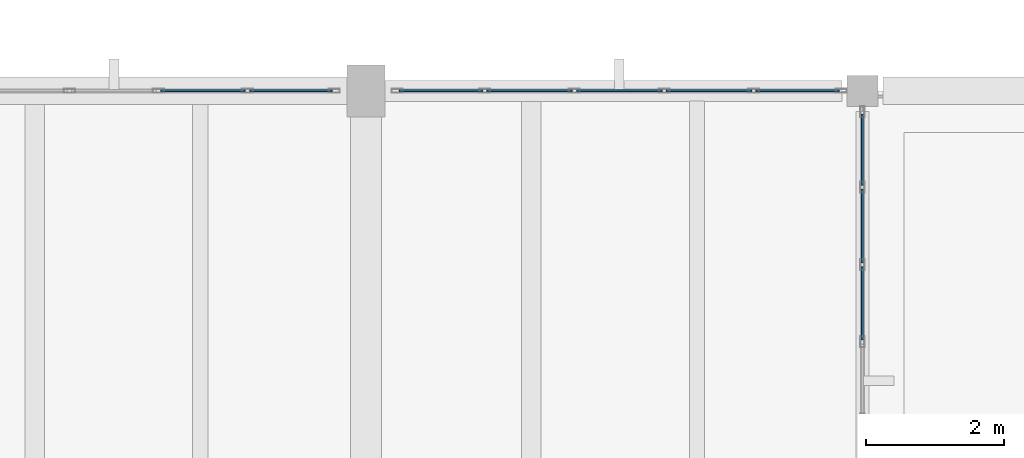
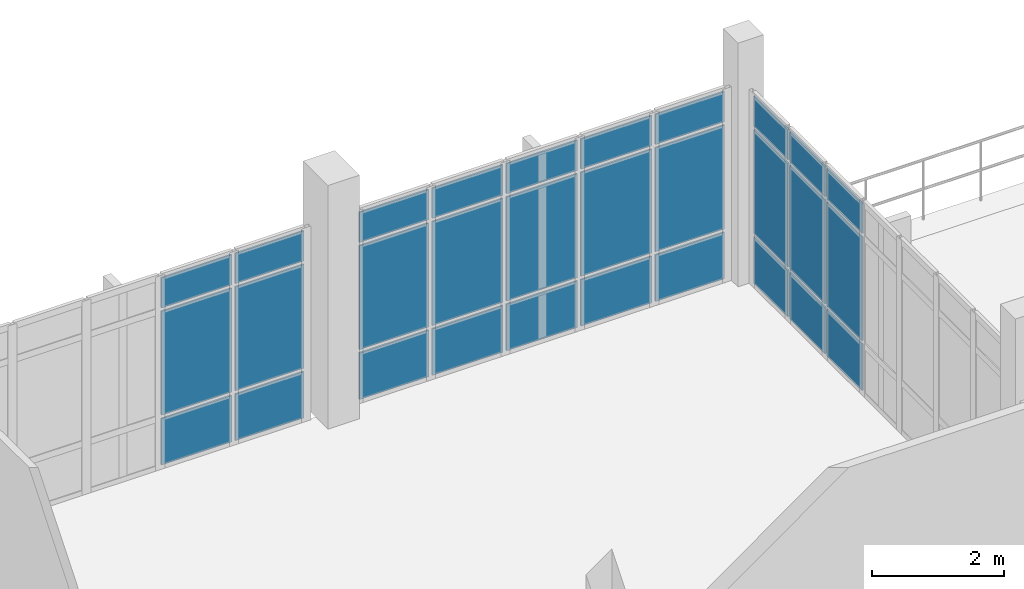
# One storey, part 51 of 62: 30 plates, 3 elements without a shape of their own.
"""IFC4 building model written with IfcOpenShell, lengths in metres."""

from ifc_helpers import new_model, si_unit, direction, frame, origin, origin_2d, place, context, subcontext, project, spatial, rectangle, extrude, material, layer, layer_set, type_object, element, aggregate, save


model = new_model("IFC4")

# Units and contexts
model_context = context("Model", 3, precision=1e-05, world=origin(), true_north=direction((0.0, 1.0)))
body_context = subcontext(model_context, "Body", "Model", "MODEL_VIEW")
ifc_project = project(units=[si_unit("LENGTHUNIT", "METRE"), si_unit("AREAUNIT", "SQUARE_METRE"), si_unit("VOLUMEUNIT", "CUBIC_METRE"), si_unit("PLANEANGLEUNIT", "RADIAN"), si_unit("MASSUNIT", "GRAM", prefix="KILO")], contexts=[model_context])

# Site, building, storey
site_placement = place(None, origin())
site = spatial("IfcSite", under=ifc_project, at=site_placement, CompositionType="ELEMENT")
building_placement = place(site_placement, origin())
building = spatial("IfcBuilding", under=site, at=building_placement, Name="Kalluvel Institute of Natural Sciences", CompositionType="ELEMENT")
storey_placement = place(building_placement, frame((0.0, 0.0, 27.89990234375)))
storey = spatial("IfcBuildingStorey", under=building, at=storey_placement, Name="L06", CompositionType="ELEMENT", Elevation=27.89990234375)

# Curtain wall, plates
ifc_material_1 = material(Name="Aluminium AW-6063 T6", Category="aluminium")
curtain_wall_type = type_object("IfcCurtainWallType", Name="CW-WET-45", PredefinedType="USERDEFINED", material=ifc_material_1)
curtain_wall_1_placement = place(storey_placement, origin())
curtain_wall_1 = element("IfcCurtainWall", 1, at=curtain_wall_1_placement, inside=storey, type_object=curtain_wall_type, Name="L06 Gothic lancet curtain wall CWA-L06-X935-Y1280", ObjectType="UNITISED LANCET FACADE", PredefinedType="USERDEFINED")
ifc_material_2 = material(Name="Solar-Control Low-E Laminated Glass", Category="glass")
ifc_layer = layer(ifc_material_2, 0.028076171875)
ifc_layer_set = layer_set([ifc_layer], Name="Solar-Control Low-E Laminated Glass")
plate_type = type_object("IfcPlateType", Name="CWP-DGU-28", PredefinedType="CURTAIN_PANEL", material=ifc_layer_set)
plate_1_placement = place(storey_placement, frame((98.0400390625, 128.0, 0.06005859375), z_axis=(0.0, 0.0, 1.0), x_axis=(1.0, 0.0, 0.0)))
plate_1 = element("IfcPlate", 2, at=plate_1_placement, type_object=plate_type, Name="CW-01 panel 4.1", PredefinedType="CURTAIN_PANEL", context=body_context, shape_type="SweptSolid", body=[
    extrude(rectangle(XDim=1.22998046875, YDim=0.028076171875, at=origin_2d()), origin(), (0.0, 0.0, 1.0), 0.860107421875),
])
plate_2_placement = place(storey_placement, frame((98.0400390625, 128.0, 0.980224609375), z_axis=(0.0, 0.0, 1.0), x_axis=(1.0, 0.0, 0.0)))
plate_2 = element("IfcPlate", 3, at=plate_2_placement, type_object=plate_type, Name="CW-01 panel 4.2", PredefinedType="CURTAIN_PANEL", context=body_context, shape_type="SweptSolid", body=[
    extrude(rectangle(XDim=1.22998046875, YDim=0.028076171875, at=origin_2d()), origin(), (0.0, 0.0, 1.0), 1.919921875),
])
plate_3_placement = place(storey_placement, frame((98.0400390625, 128.0, 2.9599609375), z_axis=(0.0, 0.0, 1.0), x_axis=(1.0, 0.0, 0.0)))
plate_3 = element("IfcPlate", 4, at=plate_3_placement, type_object=plate_type, Name="CW-01 panel 4.3", PredefinedType="CURTAIN_PANEL", context=body_context, shape_type="SweptSolid", body=[
    extrude(rectangle(XDim=1.22998046875, YDim=0.028076171875, at=origin_2d()), origin(), (0.0, 0.0, 1.0), 0.56005859375),
])
plate_4_placement = place(storey_placement, frame((99.31494140625, 128.0, 0.06005859375), z_axis=(0.0, 0.0, 1.0), x_axis=(1.0, 0.0, 0.0)))
plate_4 = element("IfcPlate", 5, at=plate_4_placement, type_object=plate_type, Name="CW-01 panel 5.1", PredefinedType="CURTAIN_PANEL", context=body_context, shape_type="SweptSolid", body=[
    extrude(rectangle(XDim=1.199951171875, YDim=0.028076171875, at=origin_2d()), origin(), (0.0, 0.0, 1.0), 0.860107421875),
])
plate_5_placement = place(storey_placement, frame((99.31494140625, 128.0, 0.980224609375), z_axis=(0.0, 0.0, 1.0), x_axis=(1.0, 0.0, 0.0)))
plate_5 = element("IfcPlate", 6, at=plate_5_placement, type_object=plate_type, Name="CW-01 panel 5.2", PredefinedType="CURTAIN_PANEL", context=body_context, shape_type="SweptSolid", body=[
    extrude(rectangle(XDim=1.199951171875, YDim=0.028076171875, at=origin_2d()), origin(), (0.0, 0.0, 1.0), 1.919921875),
])
plate_6_placement = place(storey_placement, frame((99.31494140625, 128.0, 2.9599609375), z_axis=(0.0, 0.0, 1.0), x_axis=(1.0, 0.0, 0.0)))
plate_6 = element("IfcPlate", 7, at=plate_6_placement, type_object=plate_type, Name="CW-01 panel 5.3", PredefinedType="CURTAIN_PANEL", context=body_context, shape_type="SweptSolid", body=[
    extrude(rectangle(XDim=1.199951171875, YDim=0.028076171875, at=origin_2d()), origin(), (0.0, 0.0, 1.0), 0.56005859375),
])
aggregate(curtain_wall_1, [plate_1, plate_2, plate_3, plate_4, plate_5, plate_6])

curtain_wall_2_placement = place(storey_placement, origin())
curtain_wall_2 = element("IfcCurtainWall", 8, at=curtain_wall_2_placement, inside=storey, type_object=curtain_wall_type, Name="L06 Gothic lancet curtain wall CWA-L06-X1008-Y1280", ObjectType="UNITISED LANCET FACADE", PredefinedType="USERDEFINED")
plate_7_placement = place(storey_placement, frame((101.489990234375, 128.0, 0.06005859375), z_axis=(0.0, 0.0, 1.0), x_axis=(1.0, 0.0, 0.0)))
plate_7 = element("IfcPlate", 9, at=plate_7_placement, type_object=plate_type, Name="CW-01 panel 1.1", PredefinedType="CURTAIN_PANEL", context=body_context, shape_type="SweptSolid", body=[
    extrude(rectangle(XDim=1.2099609375, YDim=0.028076171875, at=origin_2d()), origin(), (0.0, 0.0, 1.0), 0.860107421875),
])
plate_8_placement = place(storey_placement, frame((101.489990234375, 128.0, 0.980224609375), z_axis=(0.0, 0.0, 1.0), x_axis=(1.0, 0.0, 0.0)))
plate_8 = element("IfcPlate", 10, at=plate_8_placement, type_object=plate_type, Name="CW-01 panel 1.2", PredefinedType="CURTAIN_PANEL", context=body_context, shape_type="SweptSolid", body=[
    extrude(rectangle(XDim=1.2099609375, YDim=0.028076171875, at=origin_2d()), origin(), (0.0, 0.0, 1.0), 1.919921875),
])
plate_9_placement = place(storey_placement, frame((101.489990234375, 128.0, 2.9599609375), z_axis=(0.0, 0.0, 1.0), x_axis=(1.0, 0.0, 0.0)))
plate_9 = element("IfcPlate", 11, at=plate_9_placement, type_object=plate_type, Name="CW-01 panel 1.3", PredefinedType="CURTAIN_PANEL", context=body_context, shape_type="SweptSolid", body=[
    extrude(rectangle(XDim=1.2099609375, YDim=0.028076171875, at=origin_2d()), origin(), (0.0, 0.0, 1.0), 0.56005859375),
])
plate_10_placement = place(storey_placement, frame((102.77490234375, 128.0, 0.06005859375), z_axis=(0.0, 0.0, 1.0), x_axis=(1.0, 0.0, 0.0)))
plate_10 = element("IfcPlate", 12, at=plate_10_placement, type_object=plate_type, Name="CW-01 panel 2.1", PredefinedType="CURTAIN_PANEL", context=body_context, shape_type="SweptSolid", body=[
    extrude(rectangle(XDim=1.239990234375, YDim=0.028076171875, at=origin_2d()), origin(), (0.0, 0.0, 1.0), 0.860107421875),
])
plate_11_placement = place(storey_placement, frame((102.77490234375, 128.0, 0.980224609375), z_axis=(0.0, 0.0, 1.0), x_axis=(1.0, 0.0, 0.0)))
plate_11 = element("IfcPlate", 13, at=plate_11_placement, type_object=plate_type, Name="CW-01 panel 2.2", PredefinedType="CURTAIN_PANEL", context=body_context, shape_type="SweptSolid", body=[
    extrude(rectangle(XDim=1.239990234375, YDim=0.028076171875, at=origin_2d()), origin(), (0.0, 0.0, 1.0), 1.919921875),
])
plate_12_placement = place(storey_placement, frame((102.77490234375, 128.0, 2.9599609375), z_axis=(0.0, 0.0, 1.0), x_axis=(1.0, 0.0, 0.0)))
plate_12 = element("IfcPlate", 14, at=plate_12_placement, type_object=plate_type, Name="CW-01 panel 2.3", PredefinedType="CURTAIN_PANEL", context=body_context, shape_type="SweptSolid", body=[
    extrude(rectangle(XDim=1.239990234375, YDim=0.028076171875, at=origin_2d()), origin(), (0.0, 0.0, 1.0), 0.56005859375),
])
plate_13_placement = place(storey_placement, frame((104.074951171875, 128.0, 0.06005859375), z_axis=(0.0, 0.0, 1.0), x_axis=(1.0, 0.0, 0.0)))
plate_13 = element("IfcPlate", 15, at=plate_13_placement, type_object=plate_type, Name="CW-01 panel 3.1", PredefinedType="CURTAIN_PANEL", context=body_context, shape_type="SweptSolid", body=[
    extrude(rectangle(XDim=1.239990234375, YDim=0.028076171875, at=origin_2d()), origin(), (0.0, 0.0, 1.0), 0.860107421875),
])
plate_14_placement = place(storey_placement, frame((104.074951171875, 128.0, 0.980224609375), z_axis=(0.0, 0.0, 1.0), x_axis=(1.0, 0.0, 0.0)))
plate_14 = element("IfcPlate", 16, at=plate_14_placement, type_object=plate_type, Name="CW-01 panel 3.2", PredefinedType="CURTAIN_PANEL", context=body_context, shape_type="SweptSolid", body=[
    extrude(rectangle(XDim=1.239990234375, YDim=0.028076171875, at=origin_2d()), origin(), (0.0, 0.0, 1.0), 1.919921875),
])
plate_15_placement = place(storey_placement, frame((104.074951171875, 128.0, 2.9599609375), z_axis=(0.0, 0.0, 1.0), x_axis=(1.0, 0.0, 0.0)))
plate_15 = element("IfcPlate", 17, at=plate_15_placement, type_object=plate_type, Name="CW-01 panel 3.3", PredefinedType="CURTAIN_PANEL", context=body_context, shape_type="SweptSolid", body=[
    extrude(rectangle(XDim=1.239990234375, YDim=0.028076171875, at=origin_2d()), origin(), (0.0, 0.0, 1.0), 0.56005859375),
])
plate_16_placement = place(storey_placement, frame((105.375, 128.0, 0.06005859375), z_axis=(0.0, 0.0, 1.0), x_axis=(1.0, 0.0, 0.0)))
plate_16 = element("IfcPlate", 18, at=plate_16_placement, type_object=plate_type, Name="CW-01 panel 4.1", PredefinedType="CURTAIN_PANEL", context=body_context, shape_type="SweptSolid", body=[
    extrude(rectangle(XDim=1.239990234375, YDim=0.028076171875, at=origin_2d()), origin(), (0.0, 0.0, 1.0), 0.860107421875),
])
plate_17_placement = place(storey_placement, frame((105.375, 128.0, 0.980224609375), z_axis=(0.0, 0.0, 1.0), x_axis=(1.0, 0.0, 0.0)))
plate_17 = element("IfcPlate", 19, at=plate_17_placement, type_object=plate_type, Name="CW-01 panel 4.2", PredefinedType="CURTAIN_PANEL", context=body_context, shape_type="SweptSolid", body=[
    extrude(rectangle(XDim=1.239990234375, YDim=0.028076171875, at=origin_2d()), origin(), (0.0, 0.0, 1.0), 1.919921875),
])
plate_18_placement = place(storey_placement, frame((105.375, 128.0, 2.9599609375), z_axis=(0.0, 0.0, 1.0), x_axis=(1.0, 0.0, 0.0)))
plate_18 = element("IfcPlate", 20, at=plate_18_placement, type_object=plate_type, Name="CW-01 panel 4.3", PredefinedType="CURTAIN_PANEL", context=body_context, shape_type="SweptSolid", body=[
    extrude(rectangle(XDim=1.239990234375, YDim=0.028076171875, at=origin_2d()), origin(), (0.0, 0.0, 1.0), 0.56005859375),
])
plate_19_placement = place(storey_placement, frame((106.659912109375, 128.0, 0.06005859375), z_axis=(0.0, 0.0, 1.0), x_axis=(1.0, 0.0, 0.0)))
plate_19 = element("IfcPlate", 21, at=plate_19_placement, type_object=plate_type, Name="CW-01 panel 5.1", PredefinedType="CURTAIN_PANEL", context=body_context, shape_type="SweptSolid", body=[
    extrude(rectangle(XDim=1.2099609375, YDim=0.028076171875, at=origin_2d()), origin(), (0.0, 0.0, 1.0), 0.860107421875),
])
plate_20_placement = place(storey_placement, frame((106.659912109375, 128.0, 0.980224609375), z_axis=(0.0, 0.0, 1.0), x_axis=(1.0, 0.0, 0.0)))
plate_20 = element("IfcPlate", 22, at=plate_20_placement, type_object=plate_type, Name="CW-01 panel 5.2", PredefinedType="CURTAIN_PANEL", context=body_context, shape_type="SweptSolid", body=[
    extrude(rectangle(XDim=1.2099609375, YDim=0.028076171875, at=origin_2d()), origin(), (0.0, 0.0, 1.0), 1.919921875),
])
plate_21_placement = place(storey_placement, frame((106.659912109375, 128.0, 2.9599609375), z_axis=(0.0, 0.0, 1.0), x_axis=(1.0, 0.0, 0.0)))
plate_21 = element("IfcPlate", 23, at=plate_21_placement, type_object=plate_type, Name="CW-01 panel 5.3", PredefinedType="CURTAIN_PANEL", context=body_context, shape_type="SweptSolid", body=[
    extrude(rectangle(XDim=1.2099609375, YDim=0.028076171875, at=origin_2d()), origin(), (0.0, 0.0, 1.0), 0.56005859375),
])
aggregate(curtain_wall_2, [plate_7, plate_8, plate_9, plate_10, plate_11, plate_12, plate_13, plate_14, plate_15, plate_16, plate_17, plate_18, plate_19, plate_20, plate_21])

curtain_wall_3_placement = place(storey_placement, origin())
curtain_wall_3 = element("IfcCurtainWall", 24, at=curtain_wall_3_placement, inside=storey, type_object=curtain_wall_type, Name="L06 Gothic lancet curtain wall CWA-L06-X1076-Y1199", ObjectType="UNITISED LANCET FACADE", PredefinedType="USERDEFINED")
plate_22_placement = place(storey_placement, frame((107.60009765625, 124.92138671875, 0.06005859375), z_axis=(0.0, 0.0, 1.0), x_axis=(0.0, 1.0, 0.0)))
plate_22 = element("IfcPlate", 25, at=plate_22_placement, type_object=plate_type, Name="CW-01 panel 5.1", PredefinedType="CURTAIN_PANEL", context=body_context, shape_type="SweptSolid", body=[
    extrude(rectangle(XDim=1.0615234375, YDim=0.028076171875, at=origin_2d()), origin(), (0.0, 0.0, 1.0), 0.860107421875),
])
plate_23_placement = place(storey_placement, frame((107.60009765625, 124.92138671875, 0.980224609375), z_axis=(0.0, 0.0, 1.0), x_axis=(0.0, 1.0, 0.0)))
plate_23 = element("IfcPlate", 26, at=plate_23_placement, type_object=plate_type, Name="CW-01 panel 5.2", PredefinedType="CURTAIN_PANEL", context=body_context, shape_type="SweptSolid", body=[
    extrude(rectangle(XDim=1.0615234375, YDim=0.028076171875, at=origin_2d()), origin(), (0.0, 0.0, 1.0), 1.919921875),
])
plate_24_placement = place(storey_placement, frame((107.60009765625, 124.92138671875, 2.9599609375), z_axis=(0.0, 0.0, 1.0), x_axis=(0.0, 1.0, 0.0)))
plate_24 = element("IfcPlate", 27, at=plate_24_placement, type_object=plate_type, Name="CW-01 panel 5.3", PredefinedType="CURTAIN_PANEL", context=body_context, shape_type="SweptSolid", body=[
    extrude(rectangle(XDim=1.0615234375, YDim=0.028076171875, at=origin_2d()), origin(), (0.0, 0.0, 1.0), 0.56005859375),
])
plate_25_placement = place(storey_placement, frame((107.60009765625, 126.04296875, 0.06005859375), z_axis=(0.0, 0.0, 1.0), x_axis=(0.0, 1.0, 0.0)))
plate_25 = element("IfcPlate", 28, at=plate_25_placement, type_object=plate_type, Name="CW-01 panel 6.1", PredefinedType="CURTAIN_PANEL", context=body_context, shape_type="SweptSolid", body=[
    extrude(rectangle(XDim=1.0615234375, YDim=0.028076171875, at=origin_2d()), origin(), (0.0, 0.0, 1.0), 0.860107421875),
])
plate_26_placement = place(storey_placement, frame((107.60009765625, 126.04296875, 0.980224609375), z_axis=(0.0, 0.0, 1.0), x_axis=(0.0, 1.0, 0.0)))
plate_26 = element("IfcPlate", 29, at=plate_26_placement, type_object=plate_type, Name="CW-01 panel 6.2", PredefinedType="CURTAIN_PANEL", context=body_context, shape_type="SweptSolid", body=[
    extrude(rectangle(XDim=1.0615234375, YDim=0.028076171875, at=origin_2d()), origin(), (0.0, 0.0, 1.0), 1.919921875),
])
plate_27_placement = place(storey_placement, frame((107.60009765625, 126.04296875, 2.9599609375), z_axis=(0.0, 0.0, 1.0), x_axis=(0.0, 1.0, 0.0)))
plate_27 = element("IfcPlate", 30, at=plate_27_placement, type_object=plate_type, Name="CW-01 panel 6.3", PredefinedType="CURTAIN_PANEL", context=body_context, shape_type="SweptSolid", body=[
    extrude(rectangle(XDim=1.0615234375, YDim=0.028076171875, at=origin_2d()), origin(), (0.0, 0.0, 1.0), 0.56005859375),
])
plate_28_placement = place(storey_placement, frame((107.60009765625, 127.149169921875, 0.06005859375), z_axis=(0.0, 0.0, 1.0), x_axis=(0.0, 1.0, 0.0)))
plate_28 = element("IfcPlate", 31, at=plate_28_placement, type_object=plate_type, Name="CW-01 panel 7.1", PredefinedType="CURTAIN_PANEL", context=body_context, shape_type="SweptSolid", body=[
    extrude(rectangle(XDim=1.031494140625, YDim=0.028076171875, at=origin_2d()), origin(), (0.0, 0.0, 1.0), 0.860107421875),
])
plate_29_placement = place(storey_placement, frame((107.60009765625, 127.149169921875, 0.980224609375), z_axis=(0.0, 0.0, 1.0), x_axis=(0.0, 1.0, 0.0)))
plate_29 = element("IfcPlate", 32, at=plate_29_placement, type_object=plate_type, Name="CW-01 panel 7.2", PredefinedType="CURTAIN_PANEL", context=body_context, shape_type="SweptSolid", body=[
    extrude(rectangle(XDim=1.031494140625, YDim=0.028076171875, at=origin_2d()), origin(), (0.0, 0.0, 1.0), 1.919921875),
])
plate_30_placement = place(storey_placement, frame((107.60009765625, 127.149169921875, 2.9599609375), z_axis=(0.0, 0.0, 1.0), x_axis=(0.0, 1.0, 0.0)))
plate_30 = element("IfcPlate", 33, at=plate_30_placement, type_object=plate_type, Name="CW-01 panel 7.3", PredefinedType="CURTAIN_PANEL", context=body_context, shape_type="SweptSolid", body=[
    extrude(rectangle(XDim=1.031494140625, YDim=0.028076171875, at=origin_2d()), origin(), (0.0, 0.0, 1.0), 0.56005859375),
])
aggregate(curtain_wall_3, [plate_22, plate_23, plate_24, plate_25, plate_26, plate_27, plate_28, plate_29, plate_30])

save(model, "model.ifc")
